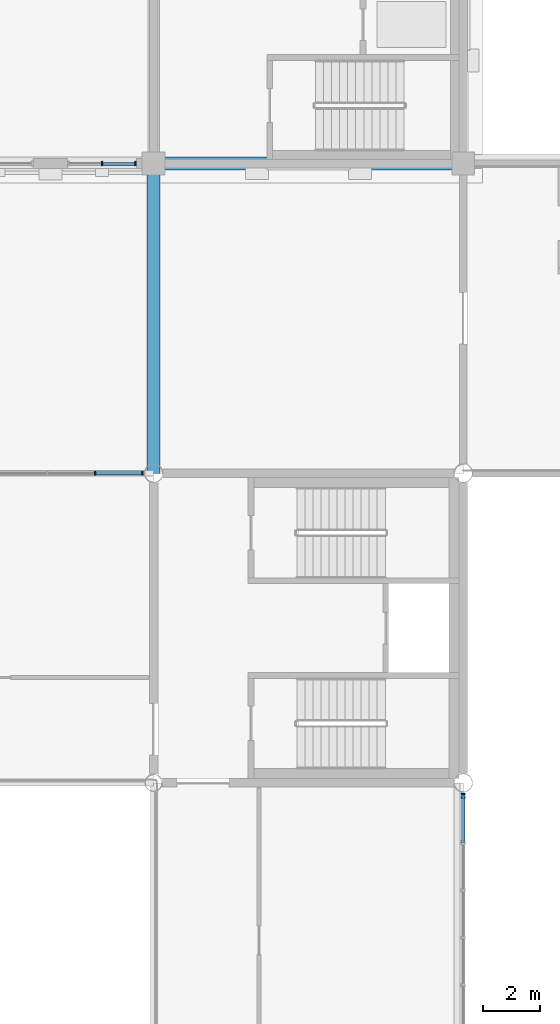
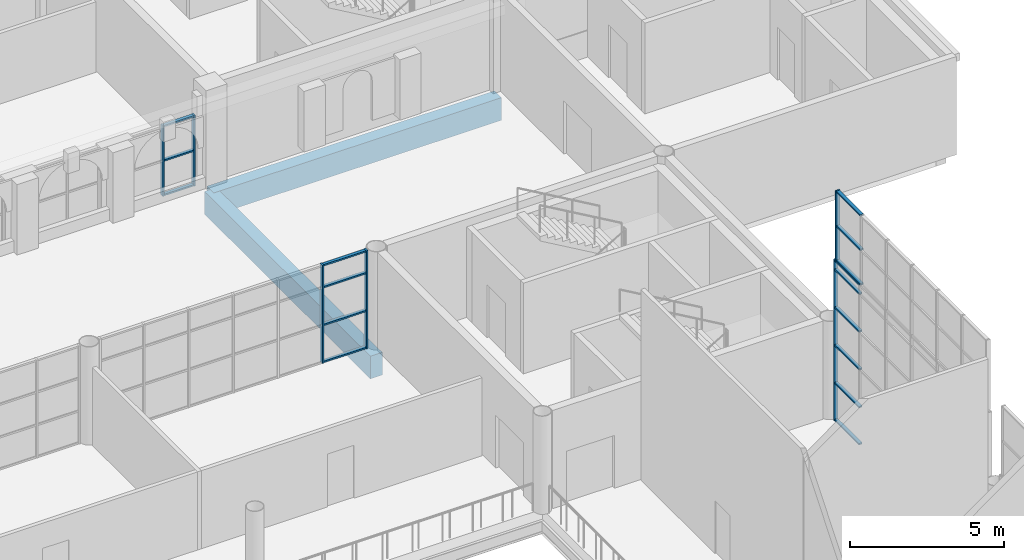
# One storey, part 29 of 95: 22 members, 2 beams, 4 elements without a shape of their own.
"""IFC4 building model written with IfcOpenShell, lengths in metres."""

from ifc_helpers import new_model, si_unit, direction, frame, origin, origin_2d, place, context, subcontext, project, spatial, rectangle, extrude, material, layer, layer_set, material_profile, profile_set, type_object, element, aggregate, save


model = new_model("IFC4")

# Units and contexts
model_context = context("Model", 3, precision=1e-05, world=origin(), true_north=direction((0.0, 1.0)))
body_context = subcontext(model_context, "Body", "Model", "MODEL_VIEW")
ifc_project = project(units=[si_unit("LENGTHUNIT", "METRE"), si_unit("AREAUNIT", "SQUARE_METRE"), si_unit("VOLUMEUNIT", "CUBIC_METRE"), si_unit("PLANEANGLEUNIT", "RADIAN"), si_unit("MASSUNIT", "GRAM", prefix="KILO")], contexts=[model_context])

# Site, building, storey
site_placement = place(None, origin())
site = spatial("IfcSite", under=ifc_project, at=site_placement, CompositionType="ELEMENT")
building_placement = place(site_placement, origin())
building = spatial("IfcBuilding", under=site, at=building_placement, Name="Magnolia Steps Interchange", CompositionType="ELEMENT")
storey_placement = place(building_placement, frame((0.0, 0.0, 4.800048828125)))
storey = spatial("IfcBuildingStorey", under=building, at=storey_placement, Name="L01", CompositionType="ELEMENT", Elevation=4.800048828125)

# Curtain wall, members
ifc_material_1 = material(Name="Powder-coated aluminium and glass", Category="aluminium")
ifc_layer_1 = layer(ifc_material_1, 0.179931640625)
ifc_layer_set_1 = layer_set([ifc_layer_1], Name="Lobby shopfront curtain wall")
curtain_wall_type_1 = type_object("IfcCurtainWallType", Name="Lobby shopfront curtain wall", PredefinedType="NOTDEFINED", material=ifc_layer_set_1)
curtain_wall_1_placement = place(storey_placement, origin())
curtain_wall_1 = element("IfcCurtainWall", 1, at=curtain_wall_1_placement, inside=storey, type_object=curtain_wall_type_1, Name="Operations lobby south glazing 16", PredefinedType="NOTDEFINED")
ifc_material_2 = material(Name="White powder-coated aluminium", Category="aluminium")
ifc_material_profile_1 = material_profile(ifc_material_2, rectangle(XDim=0.06005859375, YDim=0.14990234375, at=origin_2d()), Name="Aluminium mullion 60 x 150")
ifc_profile_set_1 = profile_set([ifc_material_profile_1], Name="White powder-coated aluminium")
member_type_1 = type_object("IfcMemberType", Name="Aluminium mullion 60 x 150", PredefinedType="MULLION", material=ifc_profile_set_1)
member_1_placement = place(storey_placement, frame((105.39990234375, 96.39990234375, 0.0), z_axis=(0.0, 0.0, 1.0), x_axis=(1.0, 0.0, 0.0)))
member_1 = element("IfcMember", 2, at=member_1_placement, type_object=member_type_1, Name="CW5 mullion 2", PredefinedType="MULLION", context=body_context, shape_type="SweptSolid", body=[
    extrude(rectangle(XDim=0.06005859375, YDim=0.14990234375, at=origin_2d()), origin(), (0.0, 0.0, 1.0), 2.800048828125),
])
member_2_placement = place(storey_placement, frame((106.570068359375, 96.39990234375, 0.0), z_axis=(0.0, 0.0, 1.0), x_axis=(1.0, 0.0, 0.0)))
member_2 = element("IfcMember", 3, at=member_2_placement, type_object=member_type_1, Name="CW5 mullion 3", PredefinedType="MULLION", context=body_context, shape_type="SweptSolid", body=[
    extrude(rectangle(XDim=0.06005859375, YDim=0.14990234375, at=origin_2d()), origin(), (0.0, 0.0, 1.0), 2.800048828125),
])

ifc_material_3 = material(Name="Powder-coated aluminium and glass", Category="aluminium")
ifc_layer_2 = layer(ifc_material_3, 0.14990234375)
ifc_layer_set_2 = layer_set([ifc_layer_2], Name="Glazed hall curtain wall")
curtain_wall_type_2 = type_object("IfcCurtainWallType", Name="Glazed hall curtain wall", PredefinedType="NOTDEFINED", material=ifc_layer_set_2)
curtain_wall_2_placement = place(storey_placement, origin())
curtain_wall_2 = element("IfcCurtainWall", 4, at=curtain_wall_2_placement, inside=storey, type_object=curtain_wall_type_2, Name="Hall glazing N5 L01", PredefinedType="NOTDEFINED")
member_3_placement = place(storey_placement, frame((105.159912109375, 85.60009765625, 0.0), z_axis=(0.0, 0.0, 1.0), x_axis=(1.0, 0.0, 0.0)))
member_3 = element("IfcMember", 5, at=member_3_placement, type_object=member_type_1, Name="CW1 mullion 6", PredefinedType="MULLION", context=body_context, shape_type="SweptSolid", body=[
    extrude(rectangle(XDim=0.06005859375, YDim=0.14990234375, at=origin_2d()), origin(), (0.0, 0.0, 1.0), 3.89990234375),
])
member_4_placement = place(storey_placement, frame((106.81005859375, 85.60009765625, 0.0), z_axis=(0.0, 0.0, 1.0), x_axis=(1.0, 0.0, 0.0)))
member_4 = element("IfcMember", 6, at=member_4_placement, type_object=member_type_1, Name="CW1 mullion 7", PredefinedType="MULLION", context=body_context, shape_type="SweptSolid", body=[
    extrude(rectangle(XDim=0.06005859375, YDim=0.14990234375, at=origin_2d()), origin(), (0.0, 0.0, 1.0), 3.89990234375),
])

# Curtain wall, member
curtain_wall_3_placement = place(storey_placement, origin())
curtain_wall_3 = element("IfcCurtainWall", 7, at=curtain_wall_3_placement, inside=storey, type_object=curtain_wall_type_2, Name="Hall glazing E3 L01", PredefinedType="NOTDEFINED")
member_5_placement = place(storey_placement, frame((118.0, 74.409912109375, 0.0), z_axis=(0.0, 0.0, 1.0), x_axis=(0.0, 1.0, 0.0)))
member_5 = element("IfcMember", 8, at=member_5_placement, type_object=member_type_1, Name="CW1 mullion 7", PredefinedType="MULLION", context=body_context, shape_type="SweptSolid", body=[
    extrude(rectangle(XDim=0.06005859375, YDim=0.14990234375, at=origin_2d()), origin(), (0.0, 0.0, 1.0), 6.39990234375),
])

ifc_material_4 = material(Name="Powder-coated aluminium and glass", Category="aluminium")
ifc_layer_3 = layer(ifc_material_4, 0.1201171875)
ifc_layer_set_3 = layer_set([ifc_layer_3], Name="Hall clerestory curtain wall")
curtain_wall_type_3 = type_object("IfcCurtainWallType", Name="Hall clerestory curtain wall", PredefinedType="NOTDEFINED", material=ifc_layer_set_3)
curtain_wall_4_placement = place(storey_placement, origin())
curtain_wall_4 = element("IfcCurtainWall", 9, at=curtain_wall_4_placement, inside=storey, type_object=curtain_wall_type_3, Name="Hall clerestory E3", PredefinedType="NOTDEFINED")
member_6_placement = place(storey_placement, frame((118.0, 74.2900390625, 6.39990234375), z_axis=(0.0, 0.0, 1.0), x_axis=(0.0, 1.0, 0.0)))
member_6 = element("IfcMember", 10, at=member_6_placement, type_object=member_type_1, Name="CW6 mullion 7", PredefinedType="MULLION", context=body_context, shape_type="SweptSolid", body=[
    extrude(rectangle(XDim=0.06005859375, YDim=0.14990234375, at=origin_2d()), origin(), (0.0, 0.0, 1.0), 2.800048828125),
])

# Member
ifc_material_5 = material(Name="White powder-coated aluminium", Category="aluminium")
ifc_material_profile_2 = material_profile(ifc_material_5, rectangle(XDim=0.06005859375, YDim=0.1201171875, at=origin_2d()), Name="Aluminium transom 60 x 120")
ifc_profile_set_2 = profile_set([ifc_material_profile_2], Name="White powder-coated aluminium")
member_type_2 = type_object("IfcMemberType", Name="Aluminium transom 60 x 120", PredefinedType="USERDEFINED", material=ifc_profile_set_2)
member_7_placement = place(storey_placement, frame((105.429931640625, 96.39990234375, 0.030029296875), z_axis=(1.0, 0.0, 0.0), x_axis=(0.0, 0.0, 1.0)))
member_7 = element("IfcMember", 11, at=member_7_placement, type_object=member_type_2, Name="CW5 transom 2.1", ObjectType="TRANSOM", PredefinedType="USERDEFINED", context=body_context, shape_type="SweptSolid", body=[
    extrude(rectangle(XDim=0.06005859375, YDim=0.1201171875, at=origin_2d()), origin(), (0.0, 0.0, 1.0), 1.110107421875),
])

member_8_placement = place(storey_placement, frame((105.429931640625, 96.39990234375, 1.39990234375), z_axis=(1.0, 0.0, 0.0), x_axis=(0.0, 0.0, 1.0)))
member_8 = element("IfcMember", 12, at=member_8_placement, type_object=member_type_2, Name="CW5 transom 2.2", ObjectType="TRANSOM", PredefinedType="USERDEFINED", context=body_context, shape_type="SweptSolid", body=[
    extrude(rectangle(XDim=0.06005859375, YDim=0.1201171875, at=origin_2d()), origin(), (0.0, 0.0, 1.0), 1.110107421875),
])

member_9_placement = place(storey_placement, frame((105.429931640625, 96.39990234375, 2.77001953125), z_axis=(1.0, 0.0, 0.0), x_axis=(0.0, 0.0, 1.0)))
member_9 = element("IfcMember", 13, at=member_9_placement, type_object=member_type_2, Name="CW5 transom 2.3", ObjectType="TRANSOM", PredefinedType="USERDEFINED", context=body_context, shape_type="SweptSolid", body=[
    extrude(rectangle(XDim=0.06005859375, YDim=0.1201171875, at=origin_2d()), origin(), (0.0, 0.0, 1.0), 1.110107421875),
])

aggregate(curtain_wall_1, [member_1, member_2, member_7, member_8, member_9])

member_10_placement = place(storey_placement, frame((105.18994140625, 85.60009765625, 0.030029296875), z_axis=(1.0, 0.0, 0.0), x_axis=(0.0, 0.0, 1.0)))
member_10 = element("IfcMember", 14, at=member_10_placement, type_object=member_type_2, Name="CW1 transom 6.1", ObjectType="TRANSOM", PredefinedType="USERDEFINED", context=body_context, shape_type="SweptSolid", body=[
    extrude(rectangle(XDim=0.06005859375, YDim=0.1201171875, at=origin_2d()), origin(), (0.0, 0.0, 1.0), 1.590087890625),
])

member_11_placement = place(storey_placement, frame((105.18994140625, 85.60009765625, 1.5), z_axis=(1.0, 0.0, 0.0), x_axis=(0.0, 0.0, 1.0)))
member_11 = element("IfcMember", 15, at=member_11_placement, type_object=member_type_2, Name="CW1 transom 6.2", ObjectType="TRANSOM", PredefinedType="USERDEFINED", context=body_context, shape_type="SweptSolid", body=[
    extrude(rectangle(XDim=0.06005859375, YDim=0.1201171875, at=origin_2d()), origin(), (0.0, 0.0, 1.0), 1.590087890625),
])

member_12_placement = place(storey_placement, frame((105.18994140625, 85.60009765625, 3.0), z_axis=(1.0, 0.0, 0.0), x_axis=(0.0, 0.0, 1.0)))
member_12 = element("IfcMember", 16, at=member_12_placement, type_object=member_type_2, Name="CW1 transom 6.3", ObjectType="TRANSOM", PredefinedType="USERDEFINED", context=body_context, shape_type="SweptSolid", body=[
    extrude(rectangle(XDim=0.06005859375, YDim=0.1201171875, at=origin_2d()), origin(), (0.0, 0.0, 1.0), 1.590087890625),
])

member_13_placement = place(storey_placement, frame((105.18994140625, 85.60009765625, 3.869873046875), z_axis=(1.0, 0.0, 0.0), x_axis=(0.0, 0.0, 1.0)))
member_13 = element("IfcMember", 17, at=member_13_placement, type_object=member_type_2, Name="CW1 transom 6.4", ObjectType="TRANSOM", PredefinedType="USERDEFINED", context=body_context, shape_type="SweptSolid", body=[
    extrude(rectangle(XDim=0.06005859375, YDim=0.1201171875, at=origin_2d()), origin(), (0.0, 0.0, 1.0), 1.590087890625),
])

aggregate(curtain_wall_2, [member_3, member_4, member_10, member_11, member_12, member_13])

member_14_placement = place(storey_placement, frame((118.0, 72.7900390625, 0.030029296875), z_axis=(0.0, 1.0, 0.0), x_axis=(0.0, 0.0, 1.0)))
member_14 = element("IfcMember", 18, at=member_14_placement, type_object=member_type_2, Name="CW1 transom 6.1", ObjectType="TRANSOM", PredefinedType="USERDEFINED", context=body_context, shape_type="SweptSolid", body=[
    extrude(rectangle(XDim=0.06005859375, YDim=0.1201171875, at=origin_2d()), origin(), (0.0, 0.0, 1.0), 1.58984375),
])

member_15_placement = place(storey_placement, frame((118.0, 72.7900390625, 1.5), z_axis=(0.0, 1.0, 0.0), x_axis=(0.0, 0.0, 1.0)))
member_15 = element("IfcMember", 19, at=member_15_placement, type_object=member_type_2, Name="CW1 transom 6.2", ObjectType="TRANSOM", PredefinedType="USERDEFINED", context=body_context, shape_type="SweptSolid", body=[
    extrude(rectangle(XDim=0.06005859375, YDim=0.1201171875, at=origin_2d()), origin(), (0.0, 0.0, 1.0), 1.58984375),
])

member_16_placement = place(storey_placement, frame((118.0, 72.7900390625, 3.0), z_axis=(0.0, 1.0, 0.0), x_axis=(0.0, 0.0, 1.0)))
member_16 = element("IfcMember", 20, at=member_16_placement, type_object=member_type_2, Name="CW1 transom 6.3", ObjectType="TRANSOM", PredefinedType="USERDEFINED", context=body_context, shape_type="SweptSolid", body=[
    extrude(rectangle(XDim=0.06005859375, YDim=0.1201171875, at=origin_2d()), origin(), (0.0, 0.0, 1.0), 1.58984375),
])

member_17_placement = place(storey_placement, frame((118.0, 72.7900390625, 4.5), z_axis=(0.0, 1.0, 0.0), x_axis=(0.0, 0.0, 1.0)))
member_17 = element("IfcMember", 21, at=member_17_placement, type_object=member_type_2, Name="CW1 transom 6.4", ObjectType="TRANSOM", PredefinedType="USERDEFINED", context=body_context, shape_type="SweptSolid", body=[
    extrude(rectangle(XDim=0.06005859375, YDim=0.1201171875, at=origin_2d()), origin(), (0.0, 0.0, 1.0), 1.58984375),
])

member_18_placement = place(storey_placement, frame((118.0, 72.7900390625, 6.0), z_axis=(0.0, 1.0, 0.0), x_axis=(0.0, 0.0, 1.0)))
member_18 = element("IfcMember", 22, at=member_18_placement, type_object=member_type_2, Name="CW1 transom 6.5", ObjectType="TRANSOM", PredefinedType="USERDEFINED", context=body_context, shape_type="SweptSolid", body=[
    extrude(rectangle(XDim=0.06005859375, YDim=0.1201171875, at=origin_2d()), origin(), (0.0, 0.0, 1.0), 1.58984375),
])

member_19_placement = place(storey_placement, frame((118.0, 72.7900390625, 6.369873046875), z_axis=(0.0, 1.0, 0.0), x_axis=(0.0, 0.0, 1.0)))
member_19 = element("IfcMember", 23, at=member_19_placement, type_object=member_type_2, Name="CW1 transom 6.6", ObjectType="TRANSOM", PredefinedType="USERDEFINED", context=body_context, shape_type="SweptSolid", body=[
    extrude(rectangle(XDim=0.06005859375, YDim=0.1201171875, at=origin_2d()), origin(), (0.0, 0.0, 1.0), 1.58984375),
])

aggregate(curtain_wall_3, [member_5, member_14, member_15, member_16, member_17, member_18, member_19])

member_20_placement = place(storey_placement, frame((118.0, 72.7099609375, 6.429931640625), z_axis=(0.0, 1.0, 0.0), x_axis=(0.0, 0.0, 1.0)))
member_20 = element("IfcMember", 24, at=member_20_placement, type_object=member_type_2, Name="CW6 transom 6.1", ObjectType="TRANSOM", PredefinedType="USERDEFINED", context=body_context, shape_type="SweptSolid", body=[
    extrude(rectangle(XDim=0.06005859375, YDim=0.1201171875, at=origin_2d()), origin(), (0.0, 0.0, 1.0), 1.550048828125),
])

member_21_placement = place(storey_placement, frame((118.0, 72.7099609375, 7.800048828125), z_axis=(0.0, 1.0, 0.0), x_axis=(0.0, 0.0, 1.0)))
member_21 = element("IfcMember", 25, at=member_21_placement, type_object=member_type_2, Name="CW6 transom 6.2", ObjectType="TRANSOM", PredefinedType="USERDEFINED", context=body_context, shape_type="SweptSolid", body=[
    extrude(rectangle(XDim=0.06005859375, YDim=0.1201171875, at=origin_2d()), origin(), (0.0, 0.0, 1.0), 1.550048828125),
])

member_22_placement = place(storey_placement, frame((118.0, 72.7099609375, 9.169921875), z_axis=(0.0, 1.0, 0.0), x_axis=(0.0, 0.0, 1.0)))
member_22 = element("IfcMember", 26, at=member_22_placement, type_object=member_type_2, Name="CW6 transom 6.3", ObjectType="TRANSOM", PredefinedType="USERDEFINED", context=body_context, shape_type="SweptSolid", body=[
    extrude(rectangle(XDim=0.06005859375, YDim=0.1201171875, at=origin_2d()), origin(), (0.0, 0.0, 1.0), 1.550048828125),
])

aggregate(curtain_wall_4, [member_6, member_20, member_21, member_22])

# Beams
ifc_material_6 = material(Name="Concrete C40", Category="concrete")
ifc_material_profile_3 = material_profile(ifc_material_6, rectangle(XDim=0.449951171875, YDim=0.89990234375, at=origin_2d()), Name="RC450x900")
ifc_profile_set_3 = profile_set([ifc_material_profile_3], Name="Concrete C40")
beam_type = type_object("IfcBeamType", Name="RC beam 450x900", PredefinedType="BEAM", material=ifc_profile_set_3)
beam_1_placement = place(storey_placement, frame((107.199951171875, 96.39990234375, -0.85009765625), z_axis=(1.0, 0.0, 0.0), x_axis=(0.0, 1.0, 0.0)))
element("IfcBeam", 27, at=beam_1_placement, inside=storey, type_object=beam_type, Name="Beam L01 I 10-11", PredefinedType="BEAM", context=body_context, shape_type="SweptSolid", body=[
    extrude(rectangle(XDim=0.449951171875, YDim=0.89990234375, at=origin_2d()), origin(), (0.0, 0.0, 1.0), 10.800048828125),
])
beam_2_placement = place(storey_placement, frame((107.199951171875, 85.60009765625, -0.85009765625), z_axis=(0.0, 1.0, 0.0), x_axis=(-1.0, 0.0, 0.0)))
element("IfcBeam", 28, at=beam_2_placement, inside=storey, type_object=beam_type, Name="Beam L01 10 H-I", PredefinedType="BEAM", context=body_context, shape_type="SweptSolid", body=[
    extrude(rectangle(XDim=0.449951171875, YDim=0.89990234375, at=origin_2d()), origin(), (0.0, 0.0, 1.0), 10.7998046875),
])

save(model, "model.ifc")
